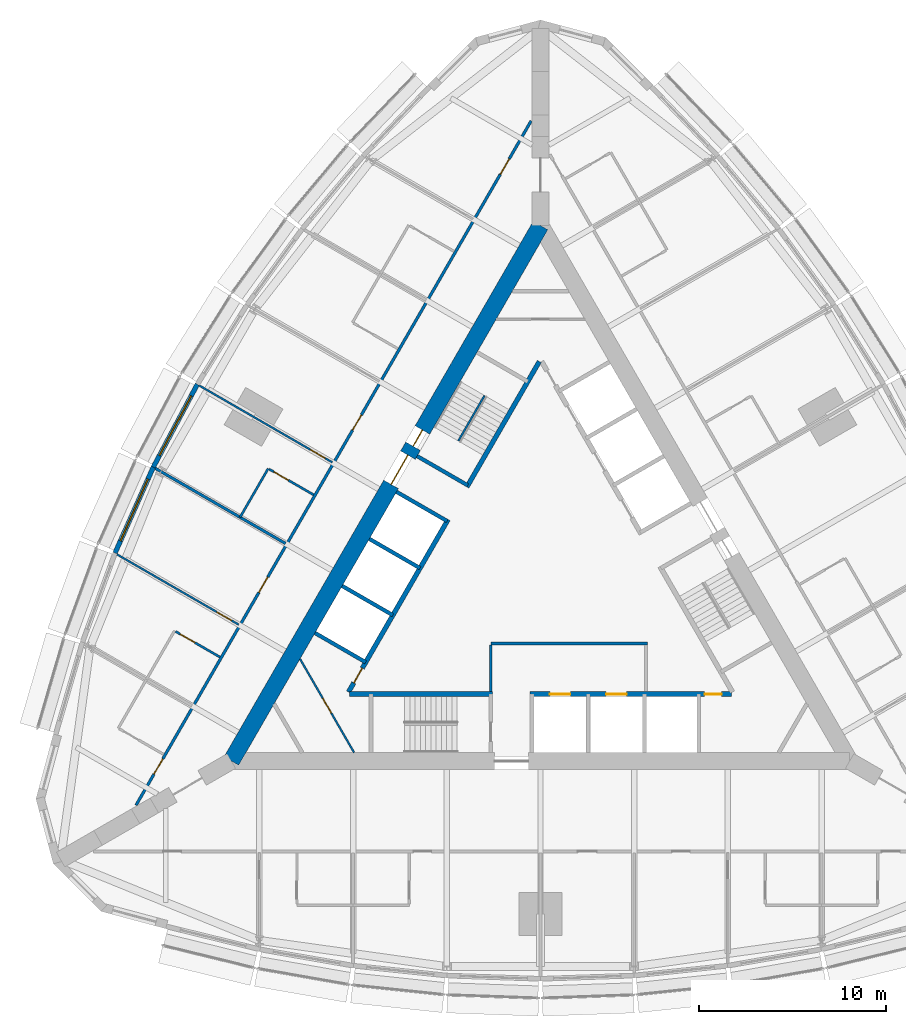
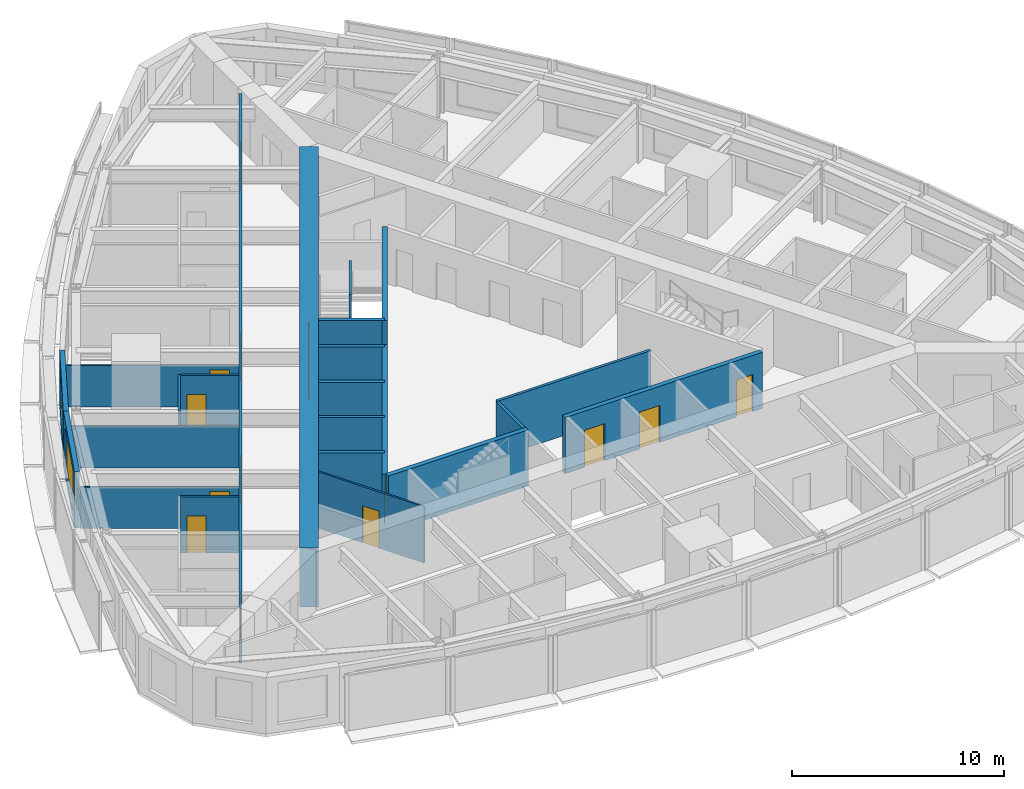
# One storey, part 9 of 14: 23 walls, 15 doors, 2 windows, 17 openings.
"""IFC4 building model written with IfcOpenShell, lengths in metres."""

from ifc_helpers import new_model, si_unit, direction, frame, frame_2d, origin, place, context, subcontext, project, spatial, rectangle, extrude, material, layer, layer_set, type_object, element, fill, save


model = new_model("IFC4")

# Units and contexts
model_context = context("Model", 3, precision=1e-05, world=origin(), true_north=direction((0.0, 1.0)))
body_context = subcontext(model_context, "Body", "Model", "MODEL_VIEW")
ifc_project = project(units=[si_unit("LENGTHUNIT", "METRE"), si_unit("AREAUNIT", "SQUARE_METRE"), si_unit("VOLUMEUNIT", "CUBIC_METRE"), si_unit("PLANEANGLEUNIT", "RADIAN"), si_unit("MASSUNIT", "GRAM", prefix="KILO")], contexts=[model_context])

# Site, building, storey
site_placement = place(None, origin())
site = spatial("IfcSite", under=ifc_project, at=site_placement, CompositionType="ELEMENT")
building_placement = place(site_placement, origin())
building = spatial("IfcBuilding", under=site, at=building_placement, Name="Trikona Tower", CompositionType="ELEMENT")
storey_placement = place(building_placement, frame((0.0, 0.0, 182.699951171875)))
storey = spatial("IfcBuildingStorey", under=building, at=storey_placement, Name="L49", CompositionType="ELEMENT", Elevation=182.699951171875)

# Wall
ifc_material_1 = material(Name="Metal stud and cement board", Category="gypsum")
ifc_layer_1 = layer(ifc_material_1, 0.1201171875)
ifc_layer_set_1 = layer_set([ifc_layer_1], Name="Bathroom wall 120")
wall_type_1 = type_object("IfcWallType", Name="Bathroom wall 120", PredefinedType="PLUMBINGWALL", material=ifc_layer_set_1)
wall_1_placement = place(storey_placement, frame((-14.53271484375, 6.0810546875, 0.0), z_axis=(0.0, 0.0, 1.0), x_axis=(-0.499990139034, -0.866031096941, 0.0)))
element("IfcWall", 1, at=wall_1_placement, inside=storey, type_object=wall_type_1, Name="Bathroom wall 4910.2", PredefinedType="PLUMBINGWALL", context=body_context, shape_type="SweptSolid", body=[
    extrude(rectangle(XDim=3.0, YDim=0.1201171875, at=frame_2d((1.5, 0.0))), origin(), (0.0, 0.0, 1.0), 3.235107421875),
])

# Wall, opening, door
wall_2_placement = place(storey_placement, frame((-12.10791015625, 4.68115234375, 0.0), z_axis=(0.0, 0.0, 1.0), x_axis=(-0.866035715982, 0.499982138324, 0.0)))
wall_2 = element("IfcWall", 2, at=wall_2_placement, inside=storey, type_object=wall_type_1, Name="Bathroom wall 4910.2", PredefinedType="PLUMBINGWALL", context=body_context, shape_type="SweptSolid", body=[
    extrude(rectangle(XDim=2.73974609375, YDim=0.1201171875, at=frame_2d((1.369873046875, 0.0))), origin(), (0.0, 0.0, 1.0), 3.235107421875),
])
opening_1_placement = place(wall_2_placement, frame((1.550048828125, 0.0, 0.0)))
opening_1 = element("IfcOpeningElement", 3, at=opening_1_placement, cuts=wall_2, Name="Opening D2", PredefinedType="OPENING", context=body_context, shape_type="SweptSolid", body=[
    extrude(rectangle(XDim=0.89990234375, YDim=2.1298828125, at=frame_2d((0.449951171875, 1.06494140625))), frame((0.0, 0.070068359375, 0.0), z_axis=(0.0, -1.0, 0.0), x_axis=(1.0, 0.0, 0.0)), (0.0, 0.0, 1.0), 0.14013671875),
])
ifc_material_2 = material(Name="Steel door frame with solid-core timber leaf", Category="steel")
door_type_1 = type_object("IfcDoorType", Name="Bathroom door 900x2130", OperationType="SLIDING_TO_LEFT", PredefinedType="DOOR", material=ifc_material_2)
door_1_placement = place(opening_1_placement, origin())
door_1 = element("IfcDoor", 4, at=door_1_placement, inside=storey, type_object=door_type_1, Name="Bathroom door 4910.2", OperationType="SLIDING_TO_LEFT", OverallHeight=2.1298828125, OverallWidth=0.89990234375, PredefinedType="DOOR", context=body_context, shape_type="SweptSolid", body=[
    extrude(rectangle(XDim=0.89990234375, YDim=2.1298828125, at=frame_2d((0.449951171875, 1.06494140625))), frame((0.0, 0.02490234375, 0.0), z_axis=(0.0, -1.0, 0.0), x_axis=(1.0, 0.0, 0.0)), (0.0, 0.0, 1.0), 0.050048828125),
])
fill(opening_1, door_1)

wall_3_placement = place(storey_placement, frame((-17.10791015625, -3.979248046875, 0.0), z_axis=(0.0, 0.0, 1.0), x_axis=(-0.865997131366, 0.500048966069, 0.0)))
wall_3 = element("IfcWall", 5, at=wall_3_placement, inside=storey, type_object=wall_type_1, Name="Bathroom wall 4911.1", PredefinedType="PLUMBINGWALL", context=body_context, shape_type="SweptSolid", body=[
    extrude(rectangle(XDim=2.739990234375, YDim=0.1201171875, at=frame_2d((1.3701171875, 0.0))), origin(), (0.0, 0.0, 1.0), 3.235107421875),
])
opening_2_placement = place(wall_3_placement, frame((1.550048828125, 0.0, 0.0)))
opening_2 = element("IfcOpeningElement", 6, at=opening_2_placement, cuts=wall_3, Name="Opening D2", PredefinedType="OPENING", context=body_context, shape_type="SweptSolid", body=[
    extrude(rectangle(XDim=0.89990234375, YDim=2.1298828125, at=frame_2d((0.449951171875, 1.06494140625))), frame((0.0, 0.070068359375, 0.0), z_axis=(0.0, -1.0, 0.0), x_axis=(1.0, 0.0, 0.0)), (0.0, 0.0, 1.0), 0.14013671875),
])
door_2_placement = place(opening_2_placement, origin())
door_2 = element("IfcDoor", 7, at=door_2_placement, inside=storey, type_object=door_type_1, Name="Bathroom door 4911.1", OperationType="SLIDING_TO_LEFT", OverallHeight=2.1298828125, OverallWidth=0.89990234375, PredefinedType="DOOR", context=body_context, shape_type="SweptSolid", body=[
    extrude(rectangle(XDim=0.89990234375, YDim=2.1298828125, at=frame_2d((0.449951171875, 1.06494140625))), frame((0.0, 0.02490234375, 0.0), z_axis=(0.0, -1.0, 0.0), x_axis=(1.0, 0.0, 0.0)), (0.0, 0.0, 1.0), 0.050048828125),
])
fill(opening_2, door_2)

# Wall, openings, doors
ifc_material_3 = material(Name="Concrete f'c 10000 psi", Category="concrete")
ifc_layer_2 = layer(ifc_material_3, 0.89990234375)
ifc_layer_set_2 = layer_set([ifc_layer_2], Name="Core wall 900")
wall_type_2 = type_object("IfcWallType", Name="Core wall 900", PredefinedType="SHEAR", material=ifc_layer_set_2)
wall_4_placement = place(storey_placement, frame((0.0, 19.052490234375, 0.0), z_axis=(0.0, 0.0, 1.0), x_axis=(-0.499999749417, -0.866025548458, 0.0)))
wall_4 = element("IfcWall", 8, at=wall_4_placement, inside=storey, type_object=wall_type_2, Name="Core wall C", PredefinedType="SHEAR", context=body_context, shape_type="SweptSolid", body=[
    extrude(rectangle(XDim=33.0, YDim=0.89990234375, at=frame_2d((16.5, 0.0))), origin(), (0.0, 0.0, 1.0), 3.400146484375),
])
opening_3_placement = place(wall_4_placement, frame((14.14990234375, 0.0, 0.0)))
opening_3 = element("IfcOpeningElement", 9, at=opening_3_placement, cuts=wall_4, Name="Opening D6", PredefinedType="OPENING", context=body_context, shape_type="SweptSolid", body=[
    extrude(rectangle(XDim=1.800048828125, YDim=2.1298828125, at=frame_2d((0.89990234375, 1.06494140625))), frame((0.0, 0.4599609375, 0.0), z_axis=(0.0, -1.0, 0.0), x_axis=(1.0, 0.0, 0.0)), (0.0, 0.0, 1.0), 0.919921875),
])
opening_4_placement = place(wall_4_placement, frame((12.60009765625, 0.0, 0.0)))
opening_4 = element("IfcOpeningElement", 10, at=opening_4_placement, cuts=wall_4, Name="Opening D5", PredefinedType="OPENING", context=body_context, shape_type="SweptSolid", body=[
    extrude(rectangle(XDim=1.0, YDim=2.1298828125, at=frame_2d((0.5, 1.06494140625))), frame((0.0, 0.4599609375, 0.0), z_axis=(0.0, -1.0, 0.0), x_axis=(1.0, 0.0, 0.0)), (0.0, 0.0, 1.0), 0.919921875),
])
ifc_material_4 = material(Name="Hollow metal door and frame", Category="steel")
door_type_2 = type_object("IfcDoorType", Name="Lobby door pair 1800x2130", OperationType="DOUBLE_DOOR_SINGLE_SWING", PredefinedType="DOOR", material=ifc_material_4)
door_3_placement = place(opening_3_placement, origin())
door_3 = element("IfcDoor", 11, at=door_3_placement, inside=storey, type_object=door_type_2, Name="Lift lobby door C", OperationType="DOUBLE_DOOR_SINGLE_SWING", OverallHeight=2.1298828125, OverallWidth=1.800048828125, PredefinedType="DOOR", context=body_context, shape_type="SweptSolid", body=[
    extrude(rectangle(XDim=1.800048828125, YDim=2.1298828125, at=frame_2d((0.89990234375, 1.06494140625))), frame((0.0, 0.02490234375, 0.0), z_axis=(0.0, -1.0, 0.0), x_axis=(1.0, 0.0, 0.0)), (0.0, 0.0, 1.0), 0.050048828125),
])
fill(opening_3, door_3)
ifc_material_5 = material(Name="Hollow metal door and frame", Category="steel")
door_type_3 = type_object("IfcDoorType", Name="Stair door 1000x2130", OperationType="SINGLE_SWING_LEFT", PredefinedType="DOOR", material=ifc_material_5)
door_4_placement = place(opening_4_placement, origin())
door_4 = element("IfcDoor", 12, at=door_4_placement, inside=storey, type_object=door_type_3, Name="Stair C door", OperationType="SINGLE_SWING_RIGHT", OverallHeight=2.1298828125, OverallWidth=1.0, PredefinedType="DOOR", context=body_context, shape_type="SweptSolid", body=[
    extrude(rectangle(XDim=1.0, YDim=2.1298828125, at=frame_2d((0.5, 1.06494140625))), frame((0.0, 0.02490234375, 0.0), z_axis=(0.0, -1.0, 0.0), x_axis=(1.0, 0.0, 0.0)), (0.0, 0.0, 1.0), 0.050048828125),
])
fill(opening_4, door_4)

ifc_material_6 = material(Name="Metal stud and gypsum board, 1-hour", Category="gypsum")
ifc_layer_3 = layer(ifc_material_6, 0.14990234375)
ifc_layer_set_3 = layer_set([ifc_layer_3], Name="Corridor wall 150")
wall_type_3 = type_object("IfcWallType", Name="Corridor wall 150", PredefinedType="PARTITIONING", material=ifc_layer_set_3)
wall_5_placement = place(storey_placement, frame((-0.5, 24.636474609375, 0.0), z_axis=(0.0, 0.0, 1.0), x_axis=(-0.500001915564, -0.86602429783, 0.0)))
wall_5 = element("IfcWall", 13, at=wall_5_placement, inside=storey, type_object=wall_type_3, Name="Corridor wall L49-3", PredefinedType="PARTITIONING", context=body_context, shape_type="SweptSolid", body=[
    extrude(rectangle(XDim=42.171630859375, YDim=0.14990234375, at=frame_2d((21.0859375, 0.0))), origin(), (0.0, 0.0, 1.0), 3.235107421875),
])
opening_5_placement = place(wall_5_placement, frame((2.337646484375, 0.0, 0.0)))
opening_5 = element("IfcOpeningElement", 14, at=opening_5_placement, cuts=wall_5, Name="Opening D1", PredefinedType="OPENING", context=body_context, shape_type="SweptSolid", body=[
    extrude(rectangle(XDim=0.949951171875, YDim=2.1298828125, at=frame_2d((0.47509765625, 1.06494140625))), frame((0.0, 0.0849609375, 0.0), z_axis=(0.0, -1.0, 0.0), x_axis=(1.0, 0.0, 0.0)), (0.0, 0.0, 1.0), 0.169921875),
])
opening_6_placement = place(wall_5_placement, frame((18.11083984375, 0.0, 0.0)))
opening_6 = element("IfcOpeningElement", 15, at=opening_6_placement, cuts=wall_5, Name="Opening D1", PredefinedType="OPENING", context=body_context, shape_type="SweptSolid", body=[
    extrude(rectangle(XDim=0.949951171875, YDim=2.1298828125, at=frame_2d((0.47509765625, 1.06494140625))), frame((0.0, 0.0849609375, 0.0), z_axis=(0.0, -1.0, 0.0), x_axis=(1.0, 0.0, 0.0)), (0.0, 0.0, 1.0), 0.169921875),
])
opening_7_placement = place(wall_5_placement, frame((28.11083984375, 0.0, 0.0)))
opening_7 = element("IfcOpeningElement", 16, at=opening_7_placement, cuts=wall_5, Name="Opening D1", PredefinedType="OPENING", context=body_context, shape_type="SweptSolid", body=[
    extrude(rectangle(XDim=0.949951171875, YDim=2.1298828125, at=frame_2d((0.47509765625, 1.06494140625))), frame((0.0, 0.0849609375, 0.0), z_axis=(0.0, -1.0, 0.0), x_axis=(1.0, 0.0, 0.0)), (0.0, 0.0, 1.0), 0.169921875),
])
opening_8_placement = place(wall_5_placement, frame((39.310791015625, 0.0, 0.0)))
opening_8 = element("IfcOpeningElement", 17, at=opening_8_placement, cuts=wall_5, Name="Opening D1", PredefinedType="OPENING", context=body_context, shape_type="SweptSolid", body=[
    extrude(rectangle(XDim=0.949951171875, YDim=2.1298828125, at=frame_2d((0.47509765625, 1.06494140625))), frame((0.0, 0.0849609375, 0.0), z_axis=(0.0, -1.0, 0.0), x_axis=(1.0, 0.0, 0.0)), (0.0, 0.0, 1.0), 0.169921875),
])
ifc_material_7 = material(Name="Steel door frame with solid-core timber leaf", Category="steel")
door_type_4 = type_object("IfcDoorType", Name="Guest room door 950x2130", OperationType="SINGLE_SWING_LEFT", PredefinedType="DOOR", material=ifc_material_7)
door_5_placement = place(opening_5_placement, origin())
door_5 = element("IfcDoor", 18, at=door_5_placement, inside=storey, type_object=door_type_4, Name="Room door 4909", OperationType="SINGLE_SWING_LEFT", OverallHeight=2.1298828125, OverallWidth=0.949951171875, PredefinedType="DOOR", context=body_context, shape_type="SweptSolid", body=[
    extrude(rectangle(XDim=0.949951171875, YDim=2.1298828125, at=frame_2d((0.47509765625, 1.06494140625))), frame((0.0, 0.02490234375, 0.0), z_axis=(0.0, -1.0, 0.0), x_axis=(1.0, 0.0, 0.0)), (0.0, 0.0, 1.0), 0.050048828125),
])
fill(opening_5, door_5)
door_6_placement = place(opening_6_placement, origin())
door_6 = element("IfcDoor", 19, at=door_6_placement, inside=storey, type_object=door_type_4, Name="Room door 4910", OperationType="SINGLE_SWING_RIGHT", OverallHeight=2.1298828125, OverallWidth=0.949951171875, PredefinedType="DOOR", context=body_context, shape_type="SweptSolid", body=[
    extrude(rectangle(XDim=0.949951171875, YDim=2.1298828125, at=frame_2d((0.47509765625, 1.06494140625))), frame((0.0, 0.02490234375, 0.0), z_axis=(0.0, -1.0, 0.0), x_axis=(1.0, 0.0, 0.0)), (0.0, 0.0, 1.0), 0.050048828125),
])
fill(opening_6, door_6)
door_7_placement = place(opening_7_placement, origin())
door_7 = element("IfcDoor", 20, at=door_7_placement, inside=storey, type_object=door_type_4, Name="Room door 4911", OperationType="SINGLE_SWING_LEFT", OverallHeight=2.1298828125, OverallWidth=0.949951171875, PredefinedType="DOOR", context=body_context, shape_type="SweptSolid", body=[
    extrude(rectangle(XDim=0.949951171875, YDim=2.1298828125, at=frame_2d((0.47509765625, 1.06494140625))), frame((0.0, 0.02490234375, 0.0), z_axis=(0.0, -1.0, 0.0), x_axis=(1.0, 0.0, 0.0)), (0.0, 0.0, 1.0), 0.050048828125),
])
fill(opening_7, door_7)
door_8_placement = place(opening_8_placement, origin())
door_8 = element("IfcDoor", 21, at=door_8_placement, inside=storey, type_object=door_type_4, Name="Room door 4912", OperationType="SINGLE_SWING_RIGHT", OverallHeight=2.1298828125, OverallWidth=0.949951171875, PredefinedType="DOOR", context=body_context, shape_type="SweptSolid", body=[
    extrude(rectangle(XDim=0.949951171875, YDim=2.1298828125, at=frame_2d((0.47509765625, 1.06494140625))), frame((0.0, 0.02490234375, 0.0), z_axis=(0.0, -1.0, 0.0), x_axis=(1.0, 0.0, 0.0)), (0.0, 0.0, 1.0), 0.050048828125),
])
fill(opening_8, door_8)

# Wall
ifc_material_8 = material(Name="Concrete f'c 8000 psi", Category="concrete")
ifc_layer_4 = layer(ifc_material_8, 0.25)
ifc_layer_set_4 = layer_set([ifc_layer_4], Name="Hub wall 250")
wall_type_4 = type_object("IfcWallType", Name="Hub wall 250", PredefinedType="SOLIDWALL", material=ifc_layer_set_4)
wall_6_placement = place(storey_placement, frame((-10.182861328125, -5.951416015625, 0.0), z_axis=(0.0, 0.0, 1.0), x_axis=(1.0, 0.0, 0.0)))
element("IfcWall", 22, at=wall_6_placement, inside=storey, type_object=wall_type_4, Name="Lift lobby wall A1", PredefinedType="SOLIDWALL", context=body_context, shape_type="SweptSolid", body=[
    extrude(rectangle(XDim=7.6328125, YDim=0.25, at=frame_2d((3.81640625, 0.0))), origin(), (0.0, 0.0, 1.0), 3.235107421875),
])

# Wall, openings, doors
wall_7_placement = place(storey_placement, frame((-0.550048828125, -5.951416015625, 0.0), z_axis=(0.0, 0.0, 1.0), x_axis=(1.0, 0.0, 0.0)))
wall_7 = element("IfcWall", 23, at=wall_7_placement, inside=storey, type_object=wall_type_4, Name="Lift lobby wall A2", PredefinedType="SOLIDWALL", context=body_context, shape_type="SweptSolid", body=[
    extrude(rectangle(XDim=10.73291015625, YDim=0.25, at=frame_2d((5.366455078125, 0.0))), origin(), (0.0, 0.0, 1.0), 3.235107421875),
])
opening_9_placement = place(wall_7_placement, frame((9.31396484375, 0.0, 0.0)))
opening_9 = element("IfcOpeningElement", 24, at=opening_9_placement, cuts=wall_7, Name="Opening D14", PredefinedType="OPENING", context=body_context, shape_type="SweptSolid", body=[
    extrude(rectangle(XDim=0.89990234375, YDim=2.1298828125, at=frame_2d((0.449951171875, 1.06494140625))), frame((0.0, 0.135009765625, 0.0), z_axis=(0.0, -1.0, 0.0), x_axis=(1.0, 0.0, 0.0)), (0.0, 0.0, 1.0), 0.27001953125),
])
opening_10_placement = place(wall_7_placement, frame((1.050048828125, 0.0, 0.0)))
opening_10 = element("IfcOpeningElement", 25, at=opening_10_placement, cuts=wall_7, Name="Opening LD", PredefinedType="OPENING", context=body_context, shape_type="SweptSolid", body=[
    extrude(rectangle(XDim=1.10009765625, YDim=2.1298828125, at=frame_2d((0.550048828125, 1.06494140625))), frame((0.0, 0.135009765625, 0.0), z_axis=(0.0, -1.0, 0.0), x_axis=(1.0, 0.0, 0.0)), (0.0, 0.0, 1.0), 0.27001953125),
])
opening_11_placement = place(wall_7_placement, frame((4.050048828125, 0.0, 0.0)))
opening_11 = element("IfcOpeningElement", 26, at=opening_11_placement, cuts=wall_7, Name="Opening LD", PredefinedType="OPENING", context=body_context, shape_type="SweptSolid", body=[
    extrude(rectangle(XDim=1.10009765625, YDim=2.1298828125, at=frame_2d((0.550048828125, 1.06494140625))), frame((0.0, 0.135009765625, 0.0), z_axis=(0.0, -1.0, 0.0), x_axis=(1.0, 0.0, 0.0)), (0.0, 0.0, 1.0), 0.27001953125),
])
ifc_material_9 = material(Name="Stainless steel lift landing door", Category="steel")
door_type_5 = type_object("IfcDoorType", Name="Lift landing door 1100x2130", OperationType="DOUBLE_DOOR_SLIDING", PredefinedType="USERDEFINED", material=ifc_material_9)
door_9_placement = place(opening_10_placement, origin())
door_9 = element("IfcDoor", 27, at=door_9_placement, inside=storey, type_object=door_type_5, Name="Lift landing door FF1", ObjectType="LIFT LANDING DOOR", OperationType="DOUBLE_DOOR_SLIDING", OverallHeight=2.1298828125, OverallWidth=1.10009765625, PredefinedType="USERDEFINED", context=body_context, shape_type="SweptSolid", body=[
    extrude(rectangle(XDim=1.10009765625, YDim=2.1298828125, at=frame_2d((0.550048828125, 1.06494140625))), frame((0.0, 0.02490234375, 0.0), z_axis=(0.0, -1.0, 0.0), x_axis=(1.0, 0.0, 0.0)), (0.0, 0.0, 1.0), 0.050048828125),
])
fill(opening_10, door_9)
door_10_placement = place(opening_11_placement, origin())
door_10 = element("IfcDoor", 28, at=door_10_placement, inside=storey, type_object=door_type_5, Name="Lift landing door FF2", ObjectType="LIFT LANDING DOOR", OperationType="DOUBLE_DOOR_SLIDING", OverallHeight=2.1298828125, OverallWidth=1.10009765625, PredefinedType="USERDEFINED", context=body_context, shape_type="SweptSolid", body=[
    extrude(rectangle(XDim=1.10009765625, YDim=2.1298828125, at=frame_2d((0.550048828125, 1.06494140625))), frame((0.0, 0.02490234375, 0.0), z_axis=(0.0, -1.0, 0.0), x_axis=(1.0, 0.0, 0.0)), (0.0, 0.0, 1.0), 0.050048828125),
])
fill(opening_11, door_10)
ifc_material_10 = material(Name="Hollow metal door and frame", Category="steel")
door_type_6 = type_object("IfcDoorType", Name="Service room door 900x2130", OperationType="SINGLE_SWING_LEFT", PredefinedType="DOOR", material=ifc_material_10)
door_11_placement = place(opening_9_placement, origin())
door_11 = element("IfcDoor", 29, at=door_11_placement, inside=storey, type_object=door_type_6, Name="Door Linen store LIN", OperationType="SINGLE_SWING_RIGHT", OverallHeight=2.1298828125, OverallWidth=0.89990234375, PredefinedType="DOOR", context=body_context, shape_type="SweptSolid", body=[
    extrude(rectangle(XDim=0.89990234375, YDim=2.1298828125, at=frame_2d((0.449951171875, 1.06494140625))), frame((0.0, 0.02490234375, 0.0), z_axis=(0.0, -1.0, 0.0), x_axis=(1.0, 0.0, 0.0)), (0.0, 0.0, 1.0), 0.050048828125),
])
fill(opening_9, door_11)

# Wall
wall_8_placement = place(storey_placement, frame((-0.0625, 11.794189453125, 0.0), z_axis=(0.0, 0.0, 1.0), x_axis=(-0.500006680225, -0.86602154692, 0.0)))
element("IfcWall", 30, at=wall_8_placement, inside=storey, type_object=wall_type_4, Name="Lift lobby wall C1", PredefinedType="SOLIDWALL", context=body_context, shape_type="SweptSolid", body=[
    extrude(rectangle(XDim=7.73291015625, YDim=0.25, at=frame_2d((3.866455078125, 0.0))), origin(), (0.0, 0.0, 1.0), 3.235107421875),
])

# Wall, opening, door
wall_9_placement = place(storey_placement, frame((-4.928955078125, 3.365478515625, 0.0), z_axis=(0.0, 0.0, 1.0), x_axis=(-0.499991433582, -0.866030349552, 0.0)))
wall_9 = element("IfcWall", 31, at=wall_9_placement, inside=storey, type_object=wall_type_4, Name="Lift lobby wall C2", PredefinedType="SOLIDWALL", context=body_context, shape_type="SweptSolid", body=[
    extrude(rectangle(XDim=10.633056640625, YDim=0.25, at=frame_2d((5.31640625, 0.0))), origin(), (0.0, 0.0, 1.0), 3.235107421875),
])
opening_12_placement = place(wall_9_placement, frame((9.1640625, 0.0, 0.0)))
opening_12 = element("IfcOpeningElement", 32, at=opening_12_placement, cuts=wall_9, Name="Opening D14", PredefinedType="OPENING", context=body_context, shape_type="SweptSolid", body=[
    extrude(rectangle(XDim=0.89990234375, YDim=2.1298828125, at=frame_2d((0.449951171875, 1.06494140625))), frame((0.0, 0.135009765625, 0.0), z_axis=(0.0, -1.0, 0.0), x_axis=(1.0, 0.0, 0.0)), (0.0, 0.0, 1.0), 0.27001953125),
])
door_12_placement = place(opening_12_placement, origin())
door_12 = element("IfcDoor", 33, at=door_12_placement, inside=storey, type_object=door_type_6, Name="Door Housekeeping store HKS", OperationType="SINGLE_SWING_RIGHT", OverallHeight=2.1298828125, OverallWidth=0.89990234375, PredefinedType="DOOR", context=body_context, shape_type="SweptSolid", body=[
    extrude(rectangle(XDim=0.89990234375, YDim=2.1298828125, at=frame_2d((0.449951171875, 1.06494140625))), frame((0.0, 0.02490234375, 0.0), z_axis=(0.0, -1.0, 0.0), x_axis=(1.0, 0.0, 0.0)), (0.0, 0.0, 1.0), 0.050048828125),
])
fill(opening_12, door_12)

# Wall, opening, window
ifc_material_11 = material(Name="Insulated precast concrete spandrel panel", Category="concrete")
ifc_layer_5 = layer(ifc_material_11, 0.25)
ifc_layer_set_5 = layer_set([ifc_layer_5], Name="Inner skin wall 250")
wall_type_5 = type_object("IfcWallType", Name="Inner skin wall 250", PredefinedType="STANDARD", material=ifc_layer_set_5)
wall_10_placement = place(storey_placement, frame((-18.314453125, 10.578857421875, 0.0), z_axis=(0.0, 0.0, 1.0), x_axis=(-0.469404966864, -0.882982999317, 0.0)))
wall_10 = element("IfcWall", 34, at=wall_10_placement, inside=storey, type_object=wall_type_5, Name="External wall L49-28", PredefinedType="STANDARD", context=body_context, shape_type="SweptSolid", body=[
    extrude(rectangle(XDim=5.0029296875, YDim=0.25, at=frame_2d((2.50146484375, 0.0))), origin(), (0.0, 0.0, 1.0), 3.235107421875),
])
opening_13_placement = place(wall_10_placement, frame((0.701416015625, 0.0, 0.449951171875)))
opening_13 = element("IfcOpeningElement", 35, at=opening_13_placement, cuts=wall_10, Name="Opening W3624", PredefinedType="OPENING", context=body_context, shape_type="SweptSolid", body=[
    extrude(rectangle(XDim=3.60009765625, YDim=2.39990234375, at=frame_2d((1.800048828125, 1.199951171875))), frame((0.0, 0.135009765625, 0.0), z_axis=(0.0, -1.0, 0.0), x_axis=(1.0, 0.0, 0.0)), (0.0, 0.0, 1.0), 0.27001953125),
])
ifc_material_12 = material(Name="Aluminium-framed double glazing", Category="aluminium")
window_type = type_object("IfcWindowType", Name="Window 3600x2400", PartitioningType="SINGLE_PANEL", PredefinedType="WINDOW", material=ifc_material_12)
window_1_placement = place(opening_13_placement, origin())
window_1 = element("IfcWindow", 36, at=window_1_placement, inside=storey, type_object=window_type, Name="Window 4910.2", OverallHeight=2.39990234375, OverallWidth=3.60009765625, PartitioningType="SINGLE_PANEL", PredefinedType="WINDOW", context=body_context, shape_type="SweptSolid", body=[
    extrude(rectangle(XDim=3.60009765625, YDim=2.39990234375, at=frame_2d((1.800048828125, 1.199951171875))), frame((0.0, 0.030029296875, 0.0), z_axis=(0.0, -1.0, 0.0), x_axis=(1.0, 0.0, 0.0)), (0.0, 0.0, 1.0), 0.06005859375),
])
fill(opening_13, window_1)

wall_11_placement = place(storey_placement, frame((-20.6591796875, 6.169189453125, 0.0), z_axis=(0.0, 0.0, 1.0), x_axis=(-0.406832200364, -0.913502906808, 0.0)))
wall_11 = element("IfcWall", 37, at=wall_11_placement, inside=storey, type_object=wall_type_5, Name="External wall L49-29", PredefinedType="STANDARD", context=body_context, shape_type="SweptSolid", body=[
    extrude(rectangle(XDim=5.027587890625, YDim=0.25, at=frame_2d((2.513671875, 0.0))), origin(), (0.0, 0.0, 1.0), 3.235107421875),
])
opening_14_placement = place(wall_11_placement, frame((0.713623046875, 0.0, 0.449951171875)))
opening_14 = element("IfcOpeningElement", 38, at=opening_14_placement, cuts=wall_11, Name="Opening W3624", PredefinedType="OPENING", context=body_context, shape_type="SweptSolid", body=[
    extrude(rectangle(XDim=3.60009765625, YDim=2.39990234375, at=frame_2d((1.800048828125, 1.199951171875))), frame((0.0, 0.135009765625, 0.0), z_axis=(0.0, -1.0, 0.0), x_axis=(1.0, 0.0, 0.0)), (0.0, 0.0, 1.0), 0.27001953125),
])
window_2_placement = place(opening_14_placement, origin())
window_2 = element("IfcWindow", 39, at=window_2_placement, inside=storey, type_object=window_type, Name="Window 4911", OverallHeight=2.39990234375, OverallWidth=3.60009765625, PartitioningType="SINGLE_PANEL", PredefinedType="WINDOW", context=body_context, shape_type="SweptSolid", body=[
    extrude(rectangle(XDim=3.60009765625, YDim=2.39990234375, at=frame_2d((1.800048828125, 1.199951171875))), frame((0.0, 0.030029296875, 0.0), z_axis=(0.0, -1.0, 0.0), x_axis=(1.0, 0.0, 0.0)), (0.0, 0.0, 1.0), 0.06005859375),
])
fill(opening_14, window_2)

# Walls
ifc_material_13 = material(Name="Metal stud and gypsum board, 2-hour shaft wall", Category="gypsum")
ifc_layer_6 = layer(ifc_material_13, 0.14990234375)
ifc_layer_set_6 = layer_set([ifc_layer_6], Name="Lobby wall 150")
wall_type_6 = type_object("IfcWallType", Name="Lobby wall 150", PredefinedType="PARTITIONING", material=ifc_layer_set_6)
wall_12_placement = place(storey_placement, frame((-2.64990234375, -3.251220703125, 0.0), z_axis=(0.0, 0.0, 1.0), x_axis=(1.0, 0.0, 0.0)))
element("IfcWall", 40, at=wall_12_placement, inside=storey, type_object=wall_type_6, Name="Fire service lift lobby wall 1", PredefinedType="PARTITIONING", context=body_context, shape_type="SweptSolid", body=[
    extrude(rectangle(XDim=8.349853515625, YDim=0.14990234375, at=frame_2d((4.1748046875, 0.0))), origin(), (0.0, 0.0, 1.0), 3.235107421875),
])
wall_13_placement = place(storey_placement, frame((-2.64990234375, -5.826416015625, 0.0), z_axis=(0.0, 0.0, 1.0), x_axis=(0.0, 1.0, 0.0)))
element("IfcWall", 41, at=wall_13_placement, inside=storey, type_object=wall_type_6, Name="Fire service lift lobby wall 2", PredefinedType="PARTITIONING", context=body_context, shape_type="SweptSolid", body=[
    extrude(rectangle(XDim=2.5, YDim=0.14990234375, at=frame_2d((1.25, 0.0))), origin(), (0.0, 0.0, 1.0), 3.235107421875),
])
ifc_material_14 = material(Name="Metal stud and gypsum board, 1-hour acoustic", Category="gypsum")
ifc_layer_7 = layer(ifc_material_14, 0.14990234375)
ifc_layer_set_7 = layer_set([ifc_layer_7], Name="Party wall 150")
wall_type_7 = type_object("IfcWallType", Name="Party wall 150", PredefinedType="PARTITIONING", material=ifc_layer_set_7)
wall_14_placement = place(storey_placement, frame((-13.60791015625, 2.0830078125, 0.0), z_axis=(0.0, 0.0, 1.0), x_axis=(-0.866028486751, 0.499994660107, 0.0)))
element("IfcWall", 42, at=wall_14_placement, inside=storey, type_object=wall_type_7, Name="Partition L49 F3 u5", PredefinedType="PARTITIONING", context=body_context, shape_type="SweptSolid", body=[
    extrude(rectangle(XDim=8.0224609375, YDim=0.14990234375, at=frame_2d((4.01123046875, 0.0))), origin(), (0.0, 0.0, 1.0), 2.38916015625),
])
ifc_material_15 = material(Name="Concrete f'c 8000 psi", Category="concrete")
ifc_layer_8 = layer(ifc_material_15, 0.199951171875)
ifc_layer_set_8 = layer_set([ifc_layer_8], Name="Shaft wall 200")
wall_type_8 = type_object("IfcWallType", Name="Shaft wall 200", PredefinedType="SOLIDWALL", material=ifc_layer_set_8)
for number, where, z_axis, x_axis, name in (
    (43, (-4.97900390625, 3.27880859375, 0.0), (0.0, 0.0, 1.0), (-0.866022959057, 0.500004234368, 0.0), "Shaft wall C3"),
    (44, (-6.428955078125, 0.767333984375, 0.0), (0.0, 0.0, 1.0), (-0.866022959057, 0.500004234368, 0.0), "Shaft wall C4"),
    (45, (-7.87890625, -1.744140625, 0.0), (0.0, 0.0, 1.0), (-0.866022959057, 0.500004234368, 0.0), "Shaft wall C5"),
    (46, (-9.3291015625, -4.255615234375, 0.0), (0.0, 0.0, 1.0), (-0.866022959057, 0.500004234368, 0.0), "Shaft wall C6"),
):
    element("IfcWall", number, at=place(storey_placement, frame(where, z_axis=z_axis, x_axis=x_axis)), inside=storey, type_object=wall_type_8, Name=name, PredefinedType="SOLIDWALL", context=body_context, shape_type="SweptSolid", body=[
        extrude(rectangle(XDim=3.125, YDim=0.199951171875, at=frame_2d((1.5625, 0.0))), origin(), (0.0, 0.0, 1.0), 3.235107421875),
    ])
ifc_material_16 = material(Name="Concrete f'c 8000 psi", Category="concrete")
ifc_layer_9 = layer(ifc_material_16, 0.199951171875)
ifc_layer_set_9 = layer_set([ifc_layer_9], Name="Shaft wall 200 load-bearing")
wall_type_9 = type_object("IfcWallType", Name="Shaft wall 200 load-bearing", PredefinedType="SOLIDWALL", material=ifc_layer_set_9)
wall_15_placement = place(storey_placement, frame((-3.87890625, 5.18408203125, 0.0), z_axis=(0.0, 0.0, 1.0), x_axis=(-0.866022959057, 0.500004234368, 0.0)))
element("IfcWall", 47, at=wall_15_placement, inside=storey, type_object=wall_type_9, Name="Shaft wall C2", PredefinedType="SOLIDWALL", context=body_context, shape_type="SweptSolid", body=[
    extrude(rectangle(XDim=3.125, YDim=0.199951171875, at=frame_2d((1.5625, 0.0))), origin(), (0.0, 0.0, 1.0), 3.235107421875),
])
ifc_material_17 = material(Name="Concrete f'c 5000 psi", Category="concrete")
ifc_layer_10 = layer(ifc_material_17, 0.10009765625)
ifc_layer_set_10 = layer_set([ifc_layer_10], Name="Stair spine wall 100")
wall_type_10 = type_object("IfcWallType", Name="Stair spine wall 100", PredefinedType="SOLIDWALL", material=ifc_layer_set_10)
wall_16_placement = place(storey_placement, frame((-2.98779296875, 9.9775390625, 0.0), z_axis=(0.0, 0.0, 1.0), x_axis=(-0.499992232847, -0.866029888106, 0.0)))
element("IfcWall", 48, at=wall_16_placement, inside=storey, type_object=wall_type_10, Name="Stair C spine wall L49", PredefinedType="SOLIDWALL", context=body_context, shape_type="SweptSolid", body=[
    extrude(rectangle(XDim=2.7939453125, YDim=0.10009765625, at=frame_2d((1.39697265625, 0.0))), origin(), (0.0, 0.0, 1.0), 3.400146484375),
])

# Wall, opening, door
ifc_material_18 = material(Name="Metal stud and gypsum board, acoustic", Category="gypsum")
ifc_layer_11 = layer(ifc_material_18, 0.10009765625)
ifc_layer_set_11 = layer_set([ifc_layer_11], Name="Suite partition 100")
wall_type_11 = type_object("IfcWallType", Name="Suite partition 100", PredefinedType="PARTITIONING", material=ifc_layer_set_11)
wall_17_placement = place(storey_placement, frame((-11.10791015625, 6.4130859375, 0.0), z_axis=(0.0, 0.0, 1.0), x_axis=(-0.866026407964, 0.499998260706, 0.0)))
wall_17 = element("IfcWall", 49, at=wall_17_placement, inside=storey, type_object=wall_type_11, Name="Suite partition L49 F3 u0", PredefinedType="PARTITIONING", context=body_context, shape_type="SweptSolid", body=[
    extrude(rectangle(XDim=8.19873046875, YDim=0.10009765625, at=frame_2d((4.099365234375, 0.0))), origin(), (0.0, 0.0, 1.0), 2.38916015625),
])
opening_15_placement = place(wall_17_placement, frame((0.449951171875, 0.0, 0.0)))
opening_15 = element("IfcOpeningElement", 50, at=opening_15_placement, cuts=wall_17, Name="Opening D13", PredefinedType="OPENING", context=body_context, shape_type="SweptSolid", body=[
    extrude(rectangle(XDim=0.89990234375, YDim=2.1298828125, at=frame_2d((0.449951171875, 1.06494140625))), frame((0.0, 0.06005859375, 0.0), z_axis=(0.0, -1.0, 0.0), x_axis=(1.0, 0.0, 0.0)), (0.0, 0.0, 1.0), 0.1201171875),
])
ifc_material_19 = material(Name="Steel door frame with solid-core timber leaf", Category="steel")
door_type_7 = type_object("IfcDoorType", Name="Suite door 900x2130", OperationType="SINGLE_SWING_LEFT", PredefinedType="DOOR", material=ifc_material_19)
door_13_placement = place(opening_15_placement, origin())
door_13 = element("IfcDoor", 51, at=door_13_placement, inside=storey, type_object=door_type_7, Name="Suite door 4910", OperationType="SINGLE_SWING_LEFT", OverallHeight=2.1298828125, OverallWidth=0.89990234375, PredefinedType="DOOR", context=body_context, shape_type="SweptSolid", body=[
    extrude(rectangle(XDim=0.89990234375, YDim=2.1298828125, at=frame_2d((0.449951171875, 1.06494140625))), frame((0.0, 0.02490234375, 0.0), z_axis=(0.0, -1.0, 0.0), x_axis=(1.0, 0.0, 0.0)), (0.0, 0.0, 1.0), 0.050048828125),
])
fill(opening_15, door_13)

wall_18_placement = place(storey_placement, frame((-16.10791015625, -2.2470703125, 0.0), z_axis=(0.0, 0.0, 1.0), x_axis=(-0.866025567496, 0.499999716443, 0.0)))
wall_18 = element("IfcWall", 52, at=wall_18_placement, inside=storey, type_object=wall_type_11, Name="Suite partition L49 F3 u10", PredefinedType="PARTITIONING", context=body_context, shape_type="SweptSolid", body=[
    extrude(rectangle(XDim=7.4951171875, YDim=0.10009765625, at=frame_2d((3.74755859375, 0.0))), origin(), (0.0, 0.0, 1.0), 2.38916015625),
])
opening_16_placement = place(wall_18_placement, frame((0.449951171875, 0.0, 0.0)))
opening_16 = element("IfcOpeningElement", 53, at=opening_16_placement, cuts=wall_18, Name="Opening D13", PredefinedType="OPENING", context=body_context, shape_type="SweptSolid", body=[
    extrude(rectangle(XDim=0.89990234375, YDim=2.1298828125, at=frame_2d((0.449951171875, 1.06494140625))), frame((0.0, 0.06005859375, 0.0), z_axis=(0.0, -1.0, 0.0), x_axis=(1.0, 0.0, 0.0)), (0.0, 0.0, 1.0), 0.1201171875),
])
door_14_placement = place(opening_16_placement, origin())
door_14 = element("IfcDoor", 54, at=door_14_placement, inside=storey, type_object=door_type_7, Name="Suite door 4911", OperationType="SINGLE_SWING_LEFT", OverallHeight=2.1298828125, OverallWidth=0.89990234375, PredefinedType="DOOR", context=body_context, shape_type="SweptSolid", body=[
    extrude(rectangle(XDim=0.89990234375, YDim=2.1298828125, at=frame_2d((0.449951171875, 1.06494140625))), frame((0.0, 0.02490234375, 0.0), z_axis=(0.0, -1.0, 0.0), x_axis=(1.0, 0.0, 0.0)), (0.0, 0.0, 1.0), 0.050048828125),
])
fill(opening_16, door_14)

wall_19_placement = place(storey_placement, frame((-9.947021484375, -9.076416015625, 0.0), z_axis=(0.0, 0.0, 1.0), x_axis=(-0.500027479704, 0.866009537788, 0.0)))
wall_19 = element("IfcWall", 55, at=wall_19_placement, inside=storey, type_object=wall_type_11, Name="Store partition L49-RS3", PredefinedType="PARTITIONING", context=body_context, shape_type="SweptSolid", body=[
    extrude(rectangle(XDim=5.773681640625, YDim=0.10009765625, at=frame_2d((2.88671875, 0.0))), origin(), (0.0, 0.0, 1.0), 3.235107421875),
])
opening_17_placement = place(wall_19_placement, frame((2.436767578125, 0.0, 0.0)))
opening_17 = element("IfcOpeningElement", 56, at=opening_17_placement, cuts=wall_19, Name="Opening D15", PredefinedType="OPENING", context=body_context, shape_type="SweptSolid", body=[
    extrude(rectangle(XDim=0.89990234375, YDim=2.1298828125, at=frame_2d((0.449951171875, 1.06494140625))), frame((0.0, 0.06005859375, 0.0), z_axis=(0.0, -1.0, 0.0), x_axis=(1.0, 0.0, 0.0)), (0.0, 0.0, 1.0), 0.1201171875),
])
ifc_material_20 = material(Name="Steel door frame with solid-core timber leaf", Category="steel")
door_type_8 = type_object("IfcDoorType", Name="Store door 900x2130", OperationType="SINGLE_SWING_LEFT", PredefinedType="DOOR", material=ifc_material_20)
door_15_placement = place(opening_17_placement, origin())
door_15 = element("IfcDoor", 57, at=door_15_placement, inside=storey, type_object=door_type_8, Name="Door Cleaner's store CLN", OperationType="SINGLE_SWING_RIGHT", OverallHeight=2.1298828125, OverallWidth=0.89990234375, PredefinedType="DOOR", context=body_context, shape_type="SweptSolid", body=[
    extrude(rectangle(XDim=0.89990234375, YDim=2.1298828125, at=frame_2d((0.449951171875, 1.06494140625))), frame((0.0, 0.02490234375, 0.0), z_axis=(0.0, -1.0, 0.0), x_axis=(1.0, 0.0, 0.0)), (0.0, 0.0, 1.0), 0.050048828125),
])
fill(opening_17, door_15)

save(model, "model.ifc")
